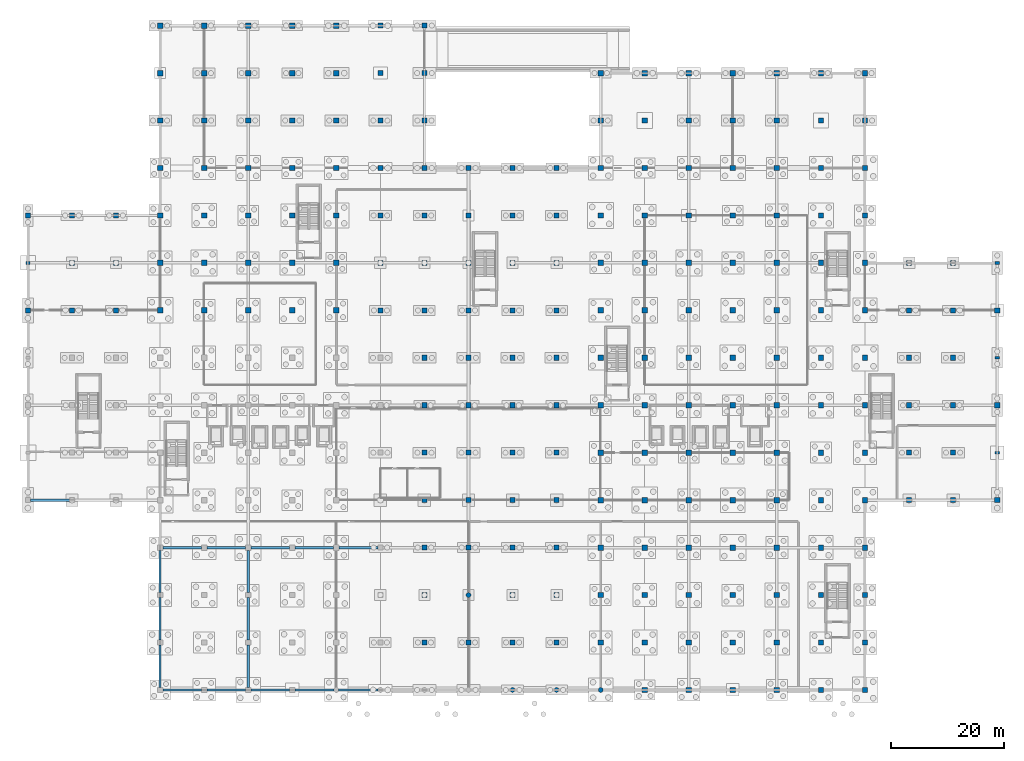
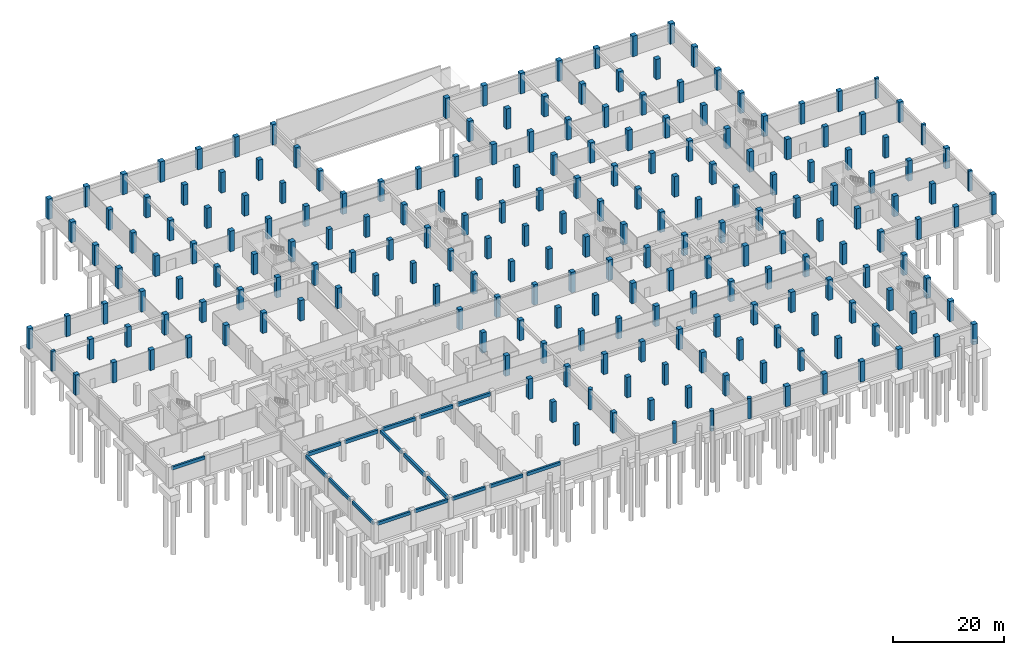
# One storey, part 9 of 30: 216 columns, 17 beams.
"""IFC4 building model written with IfcOpenShell, lengths in metres."""

import ifcopenshell
import ifcopenshell.guid

model = None  # the IFC model being written
_history = None  # IfcOwnerHistory: only IFC2X3 demands one
_inside = {}  # id of a spatial element -> (the spatial element, [elements in it])
_under = {}  # id of a project, library or spatial element -> (it, [spatial elements below it])
_declared = {}  # id of a project -> (the project, [libraries it declares])
_typed = {}  # id of a type object -> (the type object, [elements of that type])
_made_of = {}  # id of a material, layer set ... -> (it, [elements and type objects made of it])


def new_model(schema):
    """Start an empty IFC model of exactly this schema.

    Asked for "IFC4X3", IfcOpenShell would pick the latest addendum, in which some entities
    have other attributes; the version numbers below select the first issue.
    IFC2X3 requires an IfcOwnerHistory on every rooted entity: one is made here for all.
    """
    global model, _history
    if schema == "IFC4X3":
        model = ifcopenshell.file(schema_version=(4, 3, 0, 0))
    else:
        model = ifcopenshell.file(schema=schema)
    _inside.clear()
    _under.clear()
    _declared.clear()
    _typed.clear()
    _made_of.clear()
    _history = None
    if model.schema == "IFC2X3":
        org = make("IfcOrganization", Name="unknown")
        user = make(
            "IfcPersonAndOrganization",
            ThePerson=make("IfcPerson", FamilyName="unknown"),
            TheOrganization=org,
        )
        app = make(
            "IfcApplication",
            ApplicationDeveloper=org,
            Version="unknown",
            ApplicationFullName="unknown",
            ApplicationIdentifier="unknown",
        )
        _history = make(
            "IfcOwnerHistory",
            OwningUser=user,
            OwningApplication=app,
            ChangeAction="ADDED",
            CreationDate=0,
        )
    return model


def make(cls, **values):
    """One entity of the class cls with the attributes given. An attribute that is None is left unset."""
    return model.create_entity(
        cls, **{name: value for name, value in values.items() if value is not None}
    )


def rooted(cls, **values):
    """An entity with a GlobalId (a new one), such as an element, a storey or a relation."""
    return make(cls, GlobalId=ifcopenshell.guid.new(), OwnerHistory=_history, **values)


def si_unit(unit_type, name, prefix=None):
    """IfcSIUnit, for example si_unit("LENGTHUNIT", "METRE", prefix="MILLI")."""
    return make("IfcSIUnit", UnitType=unit_type, Prefix=prefix, Name=name)


def assignment(units):
    """IfcUnitAssignment: the units of a project."""
    return None if units is None else make("IfcUnitAssignment", Units=units)


def point(xyz):
    """IfcCartesianPoint."""
    return None if xyz is None else make("IfcCartesianPoint", Coordinates=xyz)


def direction(xyz):
    """IfcDirection."""
    return None if xyz is None else make("IfcDirection", DirectionRatios=xyz)


def frame(location, z_axis=None, x_axis=None):
    """IfcAxis2Placement3D, a coordinate frame: its origin and axes. An axis left out is left unset."""
    return make(
        "IfcAxis2Placement3D",
        Location=point(location),
        Axis=direction(z_axis),
        RefDirection=direction(x_axis),
    )


def frame_2d(location, x_axis=None):
    """IfcAxis2Placement2D, a coordinate frame in the plane: its origin and x axis."""
    return make(
        "IfcAxis2Placement2D", Location=point(location), RefDirection=direction(x_axis)
    )


def origin():
    """The frame at (0, 0, 0) with its axes left unset."""
    return frame((0.0, 0.0, 0.0))


def origin_2d():
    """The frame at (0, 0) in the plane with its x axis left unset."""
    return frame_2d((0.0, 0.0))


def place(relative_to, where):
    """IfcLocalPlacement: puts the frame where relative to a parent placement (None: the world)."""
    return make(
        "IfcLocalPlacement", PlacementRelTo=relative_to, RelativePlacement=where
    )


def context(
    kind, dimensions, precision=None, world=None, true_north=None, identifier=None
):
    """IfcGeometricRepresentationContext, for example the 3D "Model" context."""
    return make(
        "IfcGeometricRepresentationContext",
        ContextIdentifier=identifier,
        ContextType=kind,
        CoordinateSpaceDimension=dimensions,
        Precision=precision,
        WorldCoordinateSystem=world,
        TrueNorth=true_north,
    )


def subcontext(parent, identifier, kind, view, scale=None):
    """IfcGeometricRepresentationSubContext, for example "Body" below "Model"."""
    return make(
        "IfcGeometricRepresentationSubContext",
        ContextIdentifier=identifier,
        ContextType=kind,
        ParentContext=parent,
        TargetScale=scale,
        TargetView=view,
    )


def project(units=None, contexts=None):
    """IfcProject with its units and contexts."""
    return rooted(
        "IfcProject",
        Name="project",
        RepresentationContexts=contexts,
        UnitsInContext=assignment(units),
    )


def spatial(cls, under=None, at=None, **own):
    """A site, building, storey or space (cls), placed at a placement, below another one or the project."""
    s = rooted(cls, ObjectPlacement=at, **own)
    if under is not None:
        _under.setdefault(under.id(), (under, []))[1].append(s)
    return s


def profile(cls, at=None, kind="AREA", **sizes):
    """A parametric profile (cls). Its sizes go by their IFC names, for example OverallWidth=200.0."""
    return make(cls, ProfileType=kind, Position=at, **sizes)


def rectangle(**sizes):
    """IfcRectangleProfileDef."""
    return profile("IfcRectangleProfileDef", **sizes)


def circle(**sizes):
    """IfcCircleProfileDef."""
    return profile("IfcCircleProfileDef", **sizes)


def extrude(swept, where, along, depth):
    """IfcExtrudedAreaSolid: the profile swept, set in the frame where, extruded along a direction by depth."""
    return make(
        "IfcExtrudedAreaSolid",
        SweptArea=swept,
        Position=where,
        ExtrudedDirection=direction(along),
        Depth=depth,
    )


def shape(context_of_items, identifier, shape_type, items):
    """IfcShapeRepresentation: the items that make up one representation, for example the "Body"."""
    return make(
        "IfcShapeRepresentation",
        ContextOfItems=context_of_items,
        RepresentationIdentifier=identifier,
        RepresentationType=shape_type,
        Items=items,
    )


def material(Name=None, Category=None):
    """IfcMaterial."""
    return make("IfcMaterial", Name=Name, Category=Category)


def material_profile(
    of_material, cross_section, Name=None, Category=None, Priority=None
):
    """IfcMaterialProfile: a cross section and its material."""
    return make(
        "IfcMaterialProfile",
        Name=Name,
        Material=of_material,
        Profile=cross_section,
        Priority=Priority,
        Category=Category,
    )


def profile_set(profiles, Name=None, composite=None):
    """IfcMaterialProfileSet."""
    return make(
        "IfcMaterialProfileSet",
        Name=Name,
        MaterialProfiles=profiles,
        CompositeProfile=composite,
    )


def made_of(thing, what):
    """Note that an element or type object is made of a material, layer set ...; save() writes the relation."""
    if what is not None:
        _made_of.setdefault(what.id(), (what, []))[1].append(thing)
    return thing


def type_object(cls, material=None, **own):
    """A type object (cls), such as IfcWallType, which elements share."""
    return made_of(rooted(cls, **own), material)


def element(
    cls,
    number,
    at=None,
    inside=None,
    cuts=None,
    type_object=None,
    material=None,
    context=None,
    identifier="Body",
    shape_type=None,
    held_by="IfcProductDefinitionShape",
    body=None,
    shapes=None,
    **own,
):
    """One element of the class cls, such as IfcWall. Its Tag is "e" and its number.

    at: its placement. inside: the storey or other place that contains it. cuts: it is an
    opening in that element (IfcRelVoidsElement). A single representation is given by context,
    identifier, shape_type and body (its items); several are given by shapes. held_by: the class
    of the entity that holds the representations. save() writes the other relations.
    """
    e = rooted(cls, Tag="e%d" % number, ObjectPlacement=at, **own)
    if body is not None:
        shapes = [shape(context, identifier, shape_type, body)]
    if shapes is not None:
        e.Representation = make(held_by, Representations=shapes)
    if inside is not None:
        _inside.setdefault(inside.id(), (inside, []))[1].append(e)
    if cuts is not None:
        rooted(
            "IfcRelVoidsElement", RelatingBuildingElement=cuts, RelatedOpeningElement=e
        )
    if type_object is not None:
        _typed.setdefault(type_object.id(), (type_object, []))[1].append(e)
    return made_of(e, material)


def aggregate(whole, parts):
    """IfcRelAggregates: a whole, such as a stair, and the parts it consists of."""
    return rooted("IfcRelAggregates", RelatingObject=whole, RelatedObjects=parts)


def save(model, path):
    """Write the relations noted so far, then the file.

    IfcRelAggregates (storeys below a building ...), IfcRelContainedInSpatialStructure (elements
    in a storey), IfcRelDefinesByType, IfcRelAssociatesMaterial and IfcRelDeclares: one each for
    every whole, place, type object, material and project.
    """
    for whole, parts in _under.values():
        aggregate(whole, parts)
    for where, things in _inside.values():
        rooted(
            "IfcRelContainedInSpatialStructure",
            RelatedElements=things,
            RelatingStructure=where,
        )
    for kind, things in _typed.values():
        rooted("IfcRelDefinesByType", RelatedObjects=things, RelatingType=kind)
    for what, things in _made_of.values():
        rooted("IfcRelAssociatesMaterial", RelatedObjects=things, RelatingMaterial=what)
    for by, libraries in _declared.values():
        rooted("IfcRelDeclares", RelatingContext=by, RelatedDefinitions=libraries)
    model.write(path)


model = new_model("IFC4")

# Units and contexts
model_context = context("Model", 3, precision=1e-05, world=origin(), true_north=direction((0.0, 1.0)))
body_context = subcontext(model_context, "Body", "Model", "MODEL_VIEW")
ifc_project = project(units=[si_unit("LENGTHUNIT", "METRE"), si_unit("AREAUNIT", "SQUARE_METRE"), si_unit("VOLUMEUNIT", "CUBIC_METRE"), si_unit("PLANEANGLEUNIT", "RADIAN"), si_unit("MASSUNIT", "GRAM", prefix="KILO"), si_unit("THERMODYNAMICTEMPERATUREUNIT", "KELVIN"), si_unit("POWERUNIT", "WATT")], contexts=[model_context])

# Site, building, storey
site_placement = place(None, origin())
site = spatial("IfcSite", under=ifc_project, at=site_placement, CompositionType="ELEMENT")
building_placement = place(site_placement, origin())
building = spatial("IfcBuilding", under=site, at=building_placement, Name="Srebrne Nadtorze General Hospital", CompositionType="ELEMENT")
storey_placement = place(building_placement, frame((0.0, 0.0, -4.5)))
storey = spatial("IfcBuildingStorey", under=building, at=storey_placement, Name="B1", CompositionType="ELEMENT", Elevation=-4.5)

# Columns
ifc_material_1 = material(Name="Concrete C40/50", Category="concrete")
ifc_material_profile_1 = material_profile(ifc_material_1, rectangle(XDim=0.5, YDim=0.75, at=origin_2d()), Name="RC-PIL-500x750")
ifc_profile_set_1 = profile_set([ifc_material_profile_1], Name="Concrete C40/50")
column_type_1 = type_object("IfcColumnType", Name="Pilaster column 500x750", PredefinedType="PILASTER", material=ifc_profile_set_1)
for number, where, z_axis, x_axis, name in (
    (1, (0.0, 75.60009765625, 0.0), (0.0, 0.0, 1.0), (0.0, 1.0, 0.0), "Column CL-B1-1-K"),
    (2, (171.60009765625, 42.0, 0.0), (0.0, 0.0, 1.0), (0.0, 1.0, 0.0), "Column CL-B1-23-F"),
    (3, (171.60009765625, 58.800048828125, 0.0), (0.0, 0.0, 1.0), (0.0, 1.0, 0.0), "Column CL-B1-23-H"),
    (4, (171.60009765625, 75.60009765625, 0.0), (0.0, 0.0, 1.0), (0.0, 1.0, 0.0), "Column CL-B1-23-K"),
):
    element("IfcColumn", number, at=place(storey_placement, frame(where, z_axis=z_axis, x_axis=x_axis)), inside=storey, type_object=column_type_1, Name=name, PredefinedType="PILASTER", context=body_context, shape_type="SweptSolid", body=[
        extrude(rectangle(XDim=0.5, YDim=0.75, at=origin_2d()), origin(), (0.0, 0.0, 1.0), 4.5),
    ])
ifc_material_2 = material(Name="Concrete C40/50", Category="concrete")
ifc_material_profile_2 = material_profile(ifc_material_2, rectangle(XDim=0.89990234375, YDim=0.89990234375, at=origin_2d()), Name="RC-COL-900x900")
ifc_profile_set_2 = profile_set([ifc_material_profile_2], Name="Concrete C40/50")
column_type_2 = type_object("IfcColumnType", Name="Reinforced concrete column 900x900", PredefinedType="COLUMN", material=ifc_profile_set_2)
for number, where, z_axis, x_axis, name in (
    (5, (0.0, 67.199951171875, 0.0), (0.0, 0.0, 1.0), (1.0, 0.0, 0.0), "Column CL-B1-1-J"),
    (6, (0.0, 84.0, 0.0), (0.0, 0.0, 1.0), (1.0, 0.0, 0.0), "Column CL-B1-1-L"),
    (7, (7.800048828125, 67.199951171875, 0.0), (0.0, 0.0, 1.0), (1.0, 0.0, 0.0), "Column CL-B1-2-J"),
    (8, (7.800048828125, 75.60009765625, 0.0), (0.0, 0.0, 1.0), (1.0, 0.0, 0.0), "Column CL-B1-2-K"),
    (9, (7.800048828125, 84.0, 0.0), (0.0, 0.0, 1.0), (1.0, 0.0, 0.0), "Column CL-B1-2-L"),
    (10, (15.60009765625, 67.199951171875, 0.0), (0.0, 0.0, 1.0), (1.0, 0.0, 0.0), "Column CL-B1-3-J"),
    (11, (15.60009765625, 75.60009765625, 0.0), (0.0, 0.0, 1.0), (1.0, 0.0, 0.0), "Column CL-B1-3-K"),
    (12, (15.60009765625, 84.0, 0.0), (0.0, 0.0, 1.0), (1.0, 0.0, 0.0), "Column CL-B1-3-L"),
    (13, (62.39990234375, 67.199951171875, 0.0), (0.0, 0.0, 1.0), (1.0, 0.0, 0.0), "Column CL-B1-9-J"),
    (14, (62.39990234375, 75.60009765625, 0.0), (0.0, 0.0, 1.0), (1.0, 0.0, 0.0), "Column CL-B1-9-K"),
    (15, (62.39990234375, 84.0, 0.0), (0.0, 0.0, 1.0), (1.0, 0.0, 0.0), "Column CL-B1-9-L"),
    (16, (62.39990234375, 92.39990234375, 0.0), (0.0, 0.0, 1.0), (1.0, 0.0, 0.0), "Column CL-B1-9-M"),
    (17, (62.39990234375, 100.800048828125, 0.0), (0.0, 0.0, 1.0), (1.0, 0.0, 0.0), "Column CL-B1-9-N"),
    (18, (62.39990234375, 109.199951171875, 0.0), (0.0, 0.0, 1.0), (1.0, 0.0, 0.0), "Column CL-B1-9-P"),
    (19, (62.39990234375, 117.60009765625, 0.0), (0.0, 0.0, 1.0), (1.0, 0.0, 0.0), "Column CL-B1-9-Q"),
    (20, (70.199951171875, 8.39990234375, 0.0), (0.0, 0.0, 1.0), (1.0, 0.0, 0.0), "Column CL-B1-10-B"),
    (21, (70.199951171875, 16.800048828125, 0.0), (0.0, 0.0, 1.0), (1.0, 0.0, 0.0), "Column CL-B1-10-C"),
    (22, (70.199951171875, 25.199951171875, 0.0), (0.0, 0.0, 1.0), (1.0, 0.0, 0.0), "Column CL-B1-10-D"),
    (23, (70.199951171875, 33.60009765625, 0.0), (0.0, 0.0, 1.0), (1.0, 0.0, 0.0), "Column CL-B1-10-E"),
    (24, (70.199951171875, 42.0, 0.0), (0.0, 0.0, 1.0), (1.0, 0.0, 0.0), "Column CL-B1-10-F"),
    (25, (70.199951171875, 50.39990234375, 0.0), (0.0, 0.0, 1.0), (1.0, 0.0, 0.0), "Column CL-B1-10-G"),
    (26, (70.199951171875, 58.800048828125, 0.0), (0.0, 0.0, 1.0), (1.0, 0.0, 0.0), "Column CL-B1-10-H"),
    (27, (70.199951171875, 67.199951171875, 0.0), (0.0, 0.0, 1.0), (1.0, 0.0, 0.0), "Column CL-B1-10-J"),
    (28, (70.199951171875, 75.60009765625, 0.0), (0.0, 0.0, 1.0), (1.0, 0.0, 0.0), "Column CL-B1-10-K"),
    (29, (70.199951171875, 84.0, 0.0), (0.0, 0.0, 1.0), (1.0, 0.0, 0.0), "Column CL-B1-10-L"),
    (30, (70.199951171875, 92.39990234375, 0.0), (0.0, 0.0, 1.0), (1.0, 0.0, 0.0), "Column CL-B1-10-M"),
    (31, (70.199951171875, 100.800048828125, 0.0), (0.0, 0.0, 1.0), (1.0, 0.0, 0.0), "Column CL-B1-10-N"),
    (32, (70.199951171875, 109.199951171875, 0.0), (0.0, 0.0, 1.0), (1.0, 0.0, 0.0), "Column CL-B1-10-P"),
    (33, (70.199951171875, 117.60009765625, 0.0), (0.0, 0.0, 1.0), (1.0, 0.0, 0.0), "Column CL-B1-10-Q"),
    (34, (78.0, 8.39990234375, 0.0), (0.0, 0.0, 1.0), (1.0, 0.0, 0.0), "Column CL-B1-11-B"),
    (35, (78.0, 25.199951171875, 0.0), (0.0, 0.0, 1.0), (1.0, 0.0, 0.0), "Column CL-B1-11-D"),
    (36, (78.0, 33.60009765625, 0.0), (0.0, 0.0, 1.0), (1.0, 0.0, 0.0), "Column CL-B1-11-E"),
    (37, (78.0, 42.0, 0.0), (0.0, 0.0, 1.0), (1.0, 0.0, 0.0), "Column CL-B1-11-F"),
    (38, (78.0, 50.39990234375, 0.0), (0.0, 0.0, 1.0), (1.0, 0.0, 0.0), "Column CL-B1-11-G"),
    (39, (78.0, 58.800048828125, 0.0), (0.0, 0.0, 1.0), (1.0, 0.0, 0.0), "Column CL-B1-11-H"),
    (40, (78.0, 67.199951171875, 0.0), (0.0, 0.0, 1.0), (1.0, 0.0, 0.0), "Column CL-B1-11-J"),
    (41, (78.0, 75.60009765625, 0.0), (0.0, 0.0, 1.0), (1.0, 0.0, 0.0), "Column CL-B1-11-K"),
    (42, (78.0, 84.0, 0.0), (0.0, 0.0, 1.0), (1.0, 0.0, 0.0), "Column CL-B1-11-L"),
    (43, (78.0, 92.39990234375, 0.0), (0.0, 0.0, 1.0), (1.0, 0.0, 0.0), "Column CL-B1-11-M"),
    (44, (85.800048828125, 8.39990234375, 0.0), (0.0, 0.0, 1.0), (1.0, 0.0, 0.0), "Column CL-B1-12-B"),
    (45, (85.800048828125, 16.800048828125, 0.0), (0.0, 0.0, 1.0), (1.0, 0.0, 0.0), "Column CL-B1-12-C"),
    (46, (85.800048828125, 25.199951171875, 0.0), (0.0, 0.0, 1.0), (1.0, 0.0, 0.0), "Column CL-B1-12-D"),
    (47, (85.800048828125, 33.60009765625, 0.0), (0.0, 0.0, 1.0), (1.0, 0.0, 0.0), "Column CL-B1-12-E"),
    (48, (85.800048828125, 42.0, 0.0), (0.0, 0.0, 1.0), (1.0, 0.0, 0.0), "Column CL-B1-12-F"),
    (49, (85.800048828125, 50.39990234375, 0.0), (0.0, 0.0, 1.0), (1.0, 0.0, 0.0), "Column CL-B1-12-G"),
    (50, (85.800048828125, 58.800048828125, 0.0), (0.0, 0.0, 1.0), (1.0, 0.0, 0.0), "Column CL-B1-12-H"),
    (51, (85.800048828125, 67.199951171875, 0.0), (0.0, 0.0, 1.0), (1.0, 0.0, 0.0), "Column CL-B1-12-J"),
    (52, (85.800048828125, 75.60009765625, 0.0), (0.0, 0.0, 1.0), (1.0, 0.0, 0.0), "Column CL-B1-12-K"),
    (53, (85.800048828125, 84.0, 0.0), (0.0, 0.0, 1.0), (1.0, 0.0, 0.0), "Column CL-B1-12-L"),
    (54, (85.800048828125, 92.39990234375, 0.0), (0.0, 0.0, 1.0), (1.0, 0.0, 0.0), "Column CL-B1-12-M"),
    (55, (93.60009765625, 8.39990234375, 0.0), (0.0, 0.0, 1.0), (1.0, 0.0, 0.0), "Column CL-B1-13-B"),
    (56, (93.60009765625, 16.800048828125, 0.0), (0.0, 0.0, 1.0), (1.0, 0.0, 0.0), "Column CL-B1-13-C"),
    (57, (93.60009765625, 25.199951171875, 0.0), (0.0, 0.0, 1.0), (1.0, 0.0, 0.0), "Column CL-B1-13-D"),
    (58, (93.60009765625, 33.60009765625, 0.0), (0.0, 0.0, 1.0), (1.0, 0.0, 0.0), "Column CL-B1-13-E"),
    (59, (93.60009765625, 42.0, 0.0), (0.0, 0.0, 1.0), (1.0, 0.0, 0.0), "Column CL-B1-13-F"),
    (60, (93.60009765625, 50.39990234375, 0.0), (0.0, 0.0, 1.0), (1.0, 0.0, 0.0), "Column CL-B1-13-G"),
    (61, (93.60009765625, 58.800048828125, 0.0), (0.0, 0.0, 1.0), (1.0, 0.0, 0.0), "Column CL-B1-13-H"),
    (62, (93.60009765625, 67.199951171875, 0.0), (0.0, 0.0, 1.0), (1.0, 0.0, 0.0), "Column CL-B1-13-J"),
    (63, (93.60009765625, 75.60009765625, 0.0), (0.0, 0.0, 1.0), (1.0, 0.0, 0.0), "Column CL-B1-13-K"),
    (64, (93.60009765625, 84.0, 0.0), (0.0, 0.0, 1.0), (1.0, 0.0, 0.0), "Column CL-B1-13-L"),
    (65, (93.60009765625, 92.39990234375, 0.0), (0.0, 0.0, 1.0), (1.0, 0.0, 0.0), "Column CL-B1-13-M"),
    (66, (156.0, 33.60009765625, 0.0), (0.0, 0.0, 1.0), (1.0, 0.0, 0.0), "Column CL-B1-21-E"),
    (67, (156.0, 42.0, 0.0), (0.0, 0.0, 1.0), (1.0, 0.0, 0.0), "Column CL-B1-21-F"),
    (68, (156.0, 50.39990234375, 0.0), (0.0, 0.0, 1.0), (1.0, 0.0, 0.0), "Column CL-B1-21-G"),
    (69, (156.0, 58.800048828125, 0.0), (0.0, 0.0, 1.0), (1.0, 0.0, 0.0), "Column CL-B1-21-H"),
    (70, (156.0, 67.199951171875, 0.0), (0.0, 0.0, 1.0), (1.0, 0.0, 0.0), "Column CL-B1-21-J"),
    (71, (156.0, 75.60009765625, 0.0), (0.0, 0.0, 1.0), (1.0, 0.0, 0.0), "Column CL-B1-21-K"),
    (72, (163.800048828125, 33.60009765625, 0.0), (0.0, 0.0, 1.0), (1.0, 0.0, 0.0), "Column CL-B1-22-E"),
    (73, (163.800048828125, 42.0, 0.0), (0.0, 0.0, 1.0), (1.0, 0.0, 0.0), "Column CL-B1-22-F"),
    (74, (163.800048828125, 50.39990234375, 0.0), (0.0, 0.0, 1.0), (1.0, 0.0, 0.0), "Column CL-B1-22-G"),
    (75, (163.800048828125, 58.800048828125, 0.0), (0.0, 0.0, 1.0), (1.0, 0.0, 0.0), "Column CL-B1-22-H"),
    (76, (163.800048828125, 67.199951171875, 0.0), (0.0, 0.0, 1.0), (1.0, 0.0, 0.0), "Column CL-B1-22-J"),
    (77, (163.800048828125, 75.60009765625, 0.0), (0.0, 0.0, 1.0), (1.0, 0.0, 0.0), "Column CL-B1-22-K"),
    (78, (171.60009765625, 33.60009765625, 0.0), (0.0, 0.0, 1.0), (1.0, 0.0, 0.0), "Column CL-B1-23-E"),
    (79, (171.60009765625, 50.39990234375, 0.0), (0.0, 0.0, 1.0), (1.0, 0.0, 0.0), "Column CL-B1-23-G"),
    (80, (171.60009765625, 67.199951171875, 0.0), (0.0, 0.0, 1.0), (1.0, 0.0, 0.0), "Column CL-B1-23-J"),
):
    element("IfcColumn", number, at=place(storey_placement, frame(where, z_axis=z_axis, x_axis=x_axis)), inside=storey, type_object=column_type_2, Name=name, PredefinedType="COLUMN", context=body_context, shape_type="SweptSolid", body=[
        extrude(rectangle(XDim=0.89990234375, YDim=0.89990234375, at=origin_2d()), origin(), (0.0, 0.0, 1.0), 4.5),
    ])
ifc_material_3 = material(Name="Concrete C40/50", Category="concrete")
ifc_material_profile_3 = material_profile(ifc_material_3, rectangle(XDim=0.949951171875, YDim=0.949951171875, at=origin_2d()), Name="RC-COL-950x950")
ifc_profile_set_3 = profile_set([ifc_material_profile_3], Name="Concrete C40/50")
column_type_3 = type_object("IfcColumnType", Name="Reinforced concrete column 950x950", PredefinedType="COLUMN", material=ifc_profile_set_3)
for number, where, z_axis, x_axis, name in (
    (81, (23.39990234375, 67.199951171875, 0.0), (0.0, 0.0, 1.0), (1.0, 0.0, 0.0), "Column CL-B1-4-J"),
    (82, (23.39990234375, 75.60009765625, 0.0), (0.0, 0.0, 1.0), (1.0, 0.0, 0.0), "Column CL-B1-4-K"),
    (83, (23.39990234375, 84.0, 0.0), (0.0, 0.0, 1.0), (1.0, 0.0, 0.0), "Column CL-B1-4-L"),
    (84, (23.39990234375, 92.39990234375, 0.0), (0.0, 0.0, 1.0), (1.0, 0.0, 0.0), "Column CL-B1-4-M"),
    (85, (23.39990234375, 100.800048828125, 0.0), (0.0, 0.0, 1.0), (1.0, 0.0, 0.0), "Column CL-B1-4-N"),
    (86, (23.39990234375, 109.199951171875, 0.0), (0.0, 0.0, 1.0), (1.0, 0.0, 0.0), "Column CL-B1-4-P"),
    (87, (23.39990234375, 117.60009765625, 0.0), (0.0, 0.0, 1.0), (1.0, 0.0, 0.0), "Column CL-B1-4-Q"),
    (88, (31.199951171875, 67.199951171875, 0.0), (0.0, 0.0, 1.0), (1.0, 0.0, 0.0), "Column CL-B1-5-J"),
    (89, (31.199951171875, 75.60009765625, 0.0), (0.0, 0.0, 1.0), (1.0, 0.0, 0.0), "Column CL-B1-5-K"),
    (90, (31.199951171875, 84.0, 0.0), (0.0, 0.0, 1.0), (1.0, 0.0, 0.0), "Column CL-B1-5-L"),
    (91, (31.199951171875, 92.39990234375, 0.0), (0.0, 0.0, 1.0), (1.0, 0.0, 0.0), "Column CL-B1-5-M"),
    (92, (31.199951171875, 100.800048828125, 0.0), (0.0, 0.0, 1.0), (1.0, 0.0, 0.0), "Column CL-B1-5-N"),
    (93, (31.199951171875, 109.199951171875, 0.0), (0.0, 0.0, 1.0), (1.0, 0.0, 0.0), "Column CL-B1-5-P"),
    (94, (31.199951171875, 117.60009765625, 0.0), (0.0, 0.0, 1.0), (1.0, 0.0, 0.0), "Column CL-B1-5-Q"),
    (95, (39.0, 67.199951171875, 0.0), (0.0, 0.0, 1.0), (1.0, 0.0, 0.0), "Column CL-B1-6-J"),
    (96, (39.0, 75.60009765625, 0.0), (0.0, 0.0, 1.0), (1.0, 0.0, 0.0), "Column CL-B1-6-K"),
    (97, (39.0, 84.0, 0.0), (0.0, 0.0, 1.0), (1.0, 0.0, 0.0), "Column CL-B1-6-L"),
    (98, (39.0, 92.39990234375, 0.0), (0.0, 0.0, 1.0), (1.0, 0.0, 0.0), "Column CL-B1-6-M"),
    (99, (39.0, 100.800048828125, 0.0), (0.0, 0.0, 1.0), (1.0, 0.0, 0.0), "Column CL-B1-6-N"),
    (100, (39.0, 109.199951171875, 0.0), (0.0, 0.0, 1.0), (1.0, 0.0, 0.0), "Column CL-B1-6-P"),
    (101, (39.0, 117.60009765625, 0.0), (0.0, 0.0, 1.0), (1.0, 0.0, 0.0), "Column CL-B1-6-Q"),
    (102, (46.800048828125, 67.199951171875, 0.0), (0.0, 0.0, 1.0), (1.0, 0.0, 0.0), "Column CL-B1-7-J"),
    (103, (46.800048828125, 75.60009765625, 0.0), (0.0, 0.0, 1.0), (1.0, 0.0, 0.0), "Column CL-B1-7-K"),
    (104, (46.800048828125, 84.0, 0.0), (0.0, 0.0, 1.0), (1.0, 0.0, 0.0), "Column CL-B1-7-L"),
    (105, (46.800048828125, 92.39990234375, 0.0), (0.0, 0.0, 1.0), (1.0, 0.0, 0.0), "Column CL-B1-7-M"),
    (106, (46.800048828125, 100.800048828125, 0.0), (0.0, 0.0, 1.0), (1.0, 0.0, 0.0), "Column CL-B1-7-N"),
    (107, (46.800048828125, 109.199951171875, 0.0), (0.0, 0.0, 1.0), (1.0, 0.0, 0.0), "Column CL-B1-7-P"),
    (108, (46.800048828125, 117.60009765625, 0.0), (0.0, 0.0, 1.0), (1.0, 0.0, 0.0), "Column CL-B1-7-Q"),
    (109, (54.60009765625, 67.199951171875, 0.0), (0.0, 0.0, 1.0), (1.0, 0.0, 0.0), "Column CL-B1-8-J"),
    (110, (54.60009765625, 75.60009765625, 0.0), (0.0, 0.0, 1.0), (1.0, 0.0, 0.0), "Column CL-B1-8-K"),
    (111, (54.60009765625, 84.0, 0.0), (0.0, 0.0, 1.0), (1.0, 0.0, 0.0), "Column CL-B1-8-L"),
    (112, (54.60009765625, 92.39990234375, 0.0), (0.0, 0.0, 1.0), (1.0, 0.0, 0.0), "Column CL-B1-8-M"),
    (113, (54.60009765625, 100.800048828125, 0.0), (0.0, 0.0, 1.0), (1.0, 0.0, 0.0), "Column CL-B1-8-N"),
    (114, (54.60009765625, 109.199951171875, 0.0), (0.0, 0.0, 1.0), (1.0, 0.0, 0.0), "Column CL-B1-8-P"),
    (115, (54.60009765625, 117.60009765625, 0.0), (0.0, 0.0, 1.0), (1.0, 0.0, 0.0), "Column CL-B1-8-Q"),
    (116, (101.39990234375, 8.39990234375, 0.0), (0.0, 0.0, 1.0), (1.0, 0.0, 0.0), "Column CL-B1-14-B"),
    (117, (101.39990234375, 16.800048828125, 0.0), (0.0, 0.0, 1.0), (1.0, 0.0, 0.0), "Column CL-B1-14-C"),
    (118, (101.39990234375, 25.199951171875, 0.0), (0.0, 0.0, 1.0), (1.0, 0.0, 0.0), "Column CL-B1-14-D"),
    (119, (101.39990234375, 33.60009765625, 0.0), (0.0, 0.0, 1.0), (1.0, 0.0, 0.0), "Column CL-B1-14-E"),
    (120, (101.39990234375, 42.0, 0.0), (0.0, 0.0, 1.0), (1.0, 0.0, 0.0), "Column CL-B1-14-F"),
    (121, (101.39990234375, 50.39990234375, 0.0), (0.0, 0.0, 1.0), (1.0, 0.0, 0.0), "Column CL-B1-14-G"),
    (122, (101.39990234375, 58.800048828125, 0.0), (0.0, 0.0, 1.0), (1.0, 0.0, 0.0), "Column CL-B1-14-H"),
    (123, (101.39990234375, 67.199951171875, 0.0), (0.0, 0.0, 1.0), (1.0, 0.0, 0.0), "Column CL-B1-14-J"),
    (124, (101.39990234375, 75.60009765625, 0.0), (0.0, 0.0, 1.0), (1.0, 0.0, 0.0), "Column CL-B1-14-K"),
    (125, (101.39990234375, 84.0, 0.0), (0.0, 0.0, 1.0), (1.0, 0.0, 0.0), "Column CL-B1-14-L"),
    (126, (101.39990234375, 92.39990234375, 0.0), (0.0, 0.0, 1.0), (1.0, 0.0, 0.0), "Column CL-B1-14-M"),
    (127, (101.39990234375, 100.800048828125, 0.0), (0.0, 0.0, 1.0), (1.0, 0.0, 0.0), "Column CL-B1-14-N"),
    (128, (101.39990234375, 109.199951171875, 0.0), (0.0, 0.0, 1.0), (1.0, 0.0, 0.0), "Column CL-B1-14-P"),
    (129, (109.199951171875, 0.0, 0.0), (0.0, 0.0, 1.0), (1.0, 0.0, 0.0), "Column CL-B1-15-A"),
    (130, (109.199951171875, 8.39990234375, 0.0), (0.0, 0.0, 1.0), (1.0, 0.0, 0.0), "Column CL-B1-15-B"),
    (131, (109.199951171875, 16.800048828125, 0.0), (0.0, 0.0, 1.0), (1.0, 0.0, 0.0), "Column CL-B1-15-C"),
    (132, (109.199951171875, 25.199951171875, 0.0), (0.0, 0.0, 1.0), (1.0, 0.0, 0.0), "Column CL-B1-15-D"),
    (133, (109.199951171875, 33.60009765625, 0.0), (0.0, 0.0, 1.0), (1.0, 0.0, 0.0), "Column CL-B1-15-E"),
    (134, (109.199951171875, 42.0, 0.0), (0.0, 0.0, 1.0), (1.0, 0.0, 0.0), "Column CL-B1-15-F"),
    (135, (109.199951171875, 50.39990234375, 0.0), (0.0, 0.0, 1.0), (1.0, 0.0, 0.0), "Column CL-B1-15-G"),
    (136, (109.199951171875, 58.800048828125, 0.0), (0.0, 0.0, 1.0), (1.0, 0.0, 0.0), "Column CL-B1-15-H"),
    (137, (109.199951171875, 67.199951171875, 0.0), (0.0, 0.0, 1.0), (1.0, 0.0, 0.0), "Column CL-B1-15-J"),
    (138, (109.199951171875, 75.60009765625, 0.0), (0.0, 0.0, 1.0), (1.0, 0.0, 0.0), "Column CL-B1-15-K"),
    (139, (109.199951171875, 84.0, 0.0), (0.0, 0.0, 1.0), (1.0, 0.0, 0.0), "Column CL-B1-15-L"),
    (140, (109.199951171875, 92.39990234375, 0.0), (0.0, 0.0, 1.0), (1.0, 0.0, 0.0), "Column CL-B1-15-M"),
    (141, (109.199951171875, 100.800048828125, 0.0), (0.0, 0.0, 1.0), (1.0, 0.0, 0.0), "Column CL-B1-15-N"),
    (142, (109.199951171875, 109.199951171875, 0.0), (0.0, 0.0, 1.0), (1.0, 0.0, 0.0), "Column CL-B1-15-P"),
    (143, (117.0, 0.0, 0.0), (0.0, 0.0, 1.0), (1.0, 0.0, 0.0), "Column CL-B1-16-A"),
    (144, (117.0, 8.39990234375, 0.0), (0.0, 0.0, 1.0), (1.0, 0.0, 0.0), "Column CL-B1-16-B"),
    (145, (117.0, 16.800048828125, 0.0), (0.0, 0.0, 1.0), (1.0, 0.0, 0.0), "Column CL-B1-16-C"),
    (146, (117.0, 25.199951171875, 0.0), (0.0, 0.0, 1.0), (1.0, 0.0, 0.0), "Column CL-B1-16-D"),
    (147, (117.0, 33.60009765625, 0.0), (0.0, 0.0, 1.0), (1.0, 0.0, 0.0), "Column CL-B1-16-E"),
    (148, (117.0, 42.0, 0.0), (0.0, 0.0, 1.0), (1.0, 0.0, 0.0), "Column CL-B1-16-F"),
    (149, (117.0, 50.39990234375, 0.0), (0.0, 0.0, 1.0), (1.0, 0.0, 0.0), "Column CL-B1-16-G"),
    (150, (117.0, 58.800048828125, 0.0), (0.0, 0.0, 1.0), (1.0, 0.0, 0.0), "Column CL-B1-16-H"),
    (151, (117.0, 67.199951171875, 0.0), (0.0, 0.0, 1.0), (1.0, 0.0, 0.0), "Column CL-B1-16-J"),
    (152, (117.0, 75.60009765625, 0.0), (0.0, 0.0, 1.0), (1.0, 0.0, 0.0), "Column CL-B1-16-K"),
    (153, (117.0, 84.0, 0.0), (0.0, 0.0, 1.0), (1.0, 0.0, 0.0), "Column CL-B1-16-L"),
    (154, (117.0, 92.39990234375, 0.0), (0.0, 0.0, 1.0), (1.0, 0.0, 0.0), "Column CL-B1-16-M"),
    (155, (117.0, 100.800048828125, 0.0), (0.0, 0.0, 1.0), (1.0, 0.0, 0.0), "Column CL-B1-16-N"),
    (156, (117.0, 109.199951171875, 0.0), (0.0, 0.0, 1.0), (1.0, 0.0, 0.0), "Column CL-B1-16-P"),
    (157, (124.800048828125, 0.0, 0.0), (0.0, 0.0, 1.0), (1.0, 0.0, 0.0), "Column CL-B1-17-A"),
    (158, (124.800048828125, 8.39990234375, 0.0), (0.0, 0.0, 1.0), (1.0, 0.0, 0.0), "Column CL-B1-17-B"),
    (159, (124.800048828125, 16.800048828125, 0.0), (0.0, 0.0, 1.0), (1.0, 0.0, 0.0), "Column CL-B1-17-C"),
    (160, (124.800048828125, 25.199951171875, 0.0), (0.0, 0.0, 1.0), (1.0, 0.0, 0.0), "Column CL-B1-17-D"),
    (161, (124.800048828125, 33.60009765625, 0.0), (0.0, 0.0, 1.0), (1.0, 0.0, 0.0), "Column CL-B1-17-E"),
    (162, (124.800048828125, 42.0, 0.0), (0.0, 0.0, 1.0), (1.0, 0.0, 0.0), "Column CL-B1-17-F"),
    (163, (124.800048828125, 50.39990234375, 0.0), (0.0, 0.0, 1.0), (1.0, 0.0, 0.0), "Column CL-B1-17-G"),
    (164, (124.800048828125, 58.800048828125, 0.0), (0.0, 0.0, 1.0), (1.0, 0.0, 0.0), "Column CL-B1-17-H"),
    (165, (124.800048828125, 67.199951171875, 0.0), (0.0, 0.0, 1.0), (1.0, 0.0, 0.0), "Column CL-B1-17-J"),
    (166, (124.800048828125, 75.60009765625, 0.0), (0.0, 0.0, 1.0), (1.0, 0.0, 0.0), "Column CL-B1-17-K"),
    (167, (124.800048828125, 84.0, 0.0), (0.0, 0.0, 1.0), (1.0, 0.0, 0.0), "Column CL-B1-17-L"),
    (168, (124.800048828125, 92.39990234375, 0.0), (0.0, 0.0, 1.0), (1.0, 0.0, 0.0), "Column CL-B1-17-M"),
    (169, (124.800048828125, 100.800048828125, 0.0), (0.0, 0.0, 1.0), (1.0, 0.0, 0.0), "Column CL-B1-17-N"),
    (170, (124.800048828125, 109.199951171875, 0.0), (0.0, 0.0, 1.0), (1.0, 0.0, 0.0), "Column CL-B1-17-P"),
    (171, (132.60009765625, 0.0, 0.0), (0.0, 0.0, 1.0), (1.0, 0.0, 0.0), "Column CL-B1-18-A"),
    (172, (132.60009765625, 8.39990234375, 0.0), (0.0, 0.0, 1.0), (1.0, 0.0, 0.0), "Column CL-B1-18-B"),
    (173, (132.60009765625, 16.800048828125, 0.0), (0.0, 0.0, 1.0), (1.0, 0.0, 0.0), "Column CL-B1-18-C"),
    (174, (132.60009765625, 25.199951171875, 0.0), (0.0, 0.0, 1.0), (1.0, 0.0, 0.0), "Column CL-B1-18-D"),
    (175, (132.60009765625, 33.60009765625, 0.0), (0.0, 0.0, 1.0), (1.0, 0.0, 0.0), "Column CL-B1-18-E"),
    (176, (132.60009765625, 42.0, 0.0), (0.0, 0.0, 1.0), (1.0, 0.0, 0.0), "Column CL-B1-18-F"),
    (177, (132.60009765625, 50.39990234375, 0.0), (0.0, 0.0, 1.0), (1.0, 0.0, 0.0), "Column CL-B1-18-G"),
    (178, (132.60009765625, 58.800048828125, 0.0), (0.0, 0.0, 1.0), (1.0, 0.0, 0.0), "Column CL-B1-18-H"),
    (179, (132.60009765625, 67.199951171875, 0.0), (0.0, 0.0, 1.0), (1.0, 0.0, 0.0), "Column CL-B1-18-J"),
    (180, (132.60009765625, 75.60009765625, 0.0), (0.0, 0.0, 1.0), (1.0, 0.0, 0.0), "Column CL-B1-18-K"),
    (181, (132.60009765625, 84.0, 0.0), (0.0, 0.0, 1.0), (1.0, 0.0, 0.0), "Column CL-B1-18-L"),
    (182, (132.60009765625, 92.39990234375, 0.0), (0.0, 0.0, 1.0), (1.0, 0.0, 0.0), "Column CL-B1-18-M"),
    (183, (132.60009765625, 100.800048828125, 0.0), (0.0, 0.0, 1.0), (1.0, 0.0, 0.0), "Column CL-B1-18-N"),
    (184, (132.60009765625, 109.199951171875, 0.0), (0.0, 0.0, 1.0), (1.0, 0.0, 0.0), "Column CL-B1-18-P"),
    (185, (140.39990234375, 0.0, 0.0), (0.0, 0.0, 1.0), (1.0, 0.0, 0.0), "Column CL-B1-19-A"),
    (186, (140.39990234375, 8.39990234375, 0.0), (0.0, 0.0, 1.0), (1.0, 0.0, 0.0), "Column CL-B1-19-B"),
    (187, (140.39990234375, 16.800048828125, 0.0), (0.0, 0.0, 1.0), (1.0, 0.0, 0.0), "Column CL-B1-19-C"),
    (188, (140.39990234375, 25.199951171875, 0.0), (0.0, 0.0, 1.0), (1.0, 0.0, 0.0), "Column CL-B1-19-D"),
    (189, (140.39990234375, 33.60009765625, 0.0), (0.0, 0.0, 1.0), (1.0, 0.0, 0.0), "Column CL-B1-19-E"),
    (190, (140.39990234375, 42.0, 0.0), (0.0, 0.0, 1.0), (1.0, 0.0, 0.0), "Column CL-B1-19-F"),
    (191, (140.39990234375, 50.39990234375, 0.0), (0.0, 0.0, 1.0), (1.0, 0.0, 0.0), "Column CL-B1-19-G"),
    (192, (140.39990234375, 58.800048828125, 0.0), (0.0, 0.0, 1.0), (1.0, 0.0, 0.0), "Column CL-B1-19-H"),
    (193, (140.39990234375, 67.199951171875, 0.0), (0.0, 0.0, 1.0), (1.0, 0.0, 0.0), "Column CL-B1-19-J"),
    (194, (140.39990234375, 75.60009765625, 0.0), (0.0, 0.0, 1.0), (1.0, 0.0, 0.0), "Column CL-B1-19-K"),
    (195, (140.39990234375, 84.0, 0.0), (0.0, 0.0, 1.0), (1.0, 0.0, 0.0), "Column CL-B1-19-L"),
    (196, (140.39990234375, 92.39990234375, 0.0), (0.0, 0.0, 1.0), (1.0, 0.0, 0.0), "Column CL-B1-19-M"),
    (197, (140.39990234375, 100.800048828125, 0.0), (0.0, 0.0, 1.0), (1.0, 0.0, 0.0), "Column CL-B1-19-N"),
    (198, (140.39990234375, 109.199951171875, 0.0), (0.0, 0.0, 1.0), (1.0, 0.0, 0.0), "Column CL-B1-19-P"),
    (199, (148.199951171875, 0.0, 0.0), (0.0, 0.0, 1.0), (1.0, 0.0, 0.0), "Column CL-B1-20-A"),
    (200, (148.199951171875, 8.39990234375, 0.0), (0.0, 0.0, 1.0), (1.0, 0.0, 0.0), "Column CL-B1-20-B"),
    (201, (148.199951171875, 16.800048828125, 0.0), (0.0, 0.0, 1.0), (1.0, 0.0, 0.0), "Column CL-B1-20-C"),
    (202, (148.199951171875, 25.199951171875, 0.0), (0.0, 0.0, 1.0), (1.0, 0.0, 0.0), "Column CL-B1-20-D"),
    (203, (148.199951171875, 33.60009765625, 0.0), (0.0, 0.0, 1.0), (1.0, 0.0, 0.0), "Column CL-B1-20-E"),
    (204, (148.199951171875, 42.0, 0.0), (0.0, 0.0, 1.0), (1.0, 0.0, 0.0), "Column CL-B1-20-F"),
    (205, (148.199951171875, 50.39990234375, 0.0), (0.0, 0.0, 1.0), (1.0, 0.0, 0.0), "Column CL-B1-20-G"),
    (206, (148.199951171875, 58.800048828125, 0.0), (0.0, 0.0, 1.0), (1.0, 0.0, 0.0), "Column CL-B1-20-H"),
    (207, (148.199951171875, 67.199951171875, 0.0), (0.0, 0.0, 1.0), (1.0, 0.0, 0.0), "Column CL-B1-20-J"),
    (208, (148.199951171875, 75.60009765625, 0.0), (0.0, 0.0, 1.0), (1.0, 0.0, 0.0), "Column CL-B1-20-K"),
    (209, (148.199951171875, 84.0, 0.0), (0.0, 0.0, 1.0), (1.0, 0.0, 0.0), "Column CL-B1-20-L"),
    (210, (148.199951171875, 92.39990234375, 0.0), (0.0, 0.0, 1.0), (1.0, 0.0, 0.0), "Column CL-B1-20-M"),
    (211, (148.199951171875, 100.800048828125, 0.0), (0.0, 0.0, 1.0), (1.0, 0.0, 0.0), "Column CL-B1-20-N"),
    (212, (148.199951171875, 109.199951171875, 0.0), (0.0, 0.0, 1.0), (1.0, 0.0, 0.0), "Column CL-B1-20-P"),
):
    element("IfcColumn", number, at=place(storey_placement, frame(where, z_axis=z_axis, x_axis=x_axis)), inside=storey, type_object=column_type_3, Name=name, PredefinedType="COLUMN", context=body_context, shape_type="SweptSolid", body=[
        extrude(rectangle(XDim=0.949951171875, YDim=0.949951171875, at=origin_2d()), origin(), (0.0, 0.0, 1.0), 4.5),
    ])
ifc_material_4 = material(Name="Concrete C40/50", Category="concrete")
ifc_material_profile_4 = material_profile(ifc_material_4, circle(Radius=0.425048828125, at=origin_2d()), Name="RC-COL-D850")
ifc_profile_set_4 = profile_set([ifc_material_profile_4], Name="Concrete C40/50")
column_type_4 = type_object("IfcColumnType", Name="Reinforced concrete column D850", PredefinedType="COLUMN", material=ifc_profile_set_4)
for number, where, z_axis, x_axis, name in (
    (213, (78.0, 16.800048828125, 0.0), (0.0, 0.0, 1.0), (1.0, 0.0, 0.0), "Column CL-B1-11-C"),
    (214, (85.800048828125, 0.0, 0.0), (0.0, 0.0, 1.0), (1.0, 0.0, 0.0), "Column CL-B1-12-A"),
    (215, (93.60009765625, 0.0, 0.0), (0.0, 0.0, 1.0), (1.0, 0.0, 0.0), "Column CL-B1-13-A"),
    (216, (101.39990234375, 0.0, 0.0), (0.0, 0.0, 1.0), (1.0, 0.0, 0.0), "Column CL-B1-14-A"),
):
    element("IfcColumn", number, at=place(storey_placement, frame(where, z_axis=z_axis, x_axis=x_axis)), inside=storey, type_object=column_type_4, Name=name, PredefinedType="COLUMN", context=body_context, shape_type="SweptSolid", body=[
        extrude(circle(Radius=0.425048828125, at=origin_2d()), origin(), (0.0, 0.0, 1.0), 4.5),
    ])

# Beams
ifc_material_5 = material(Name="Concrete C40/50", Category="concrete")
ifc_material_profile_5 = material_profile(ifc_material_5, rectangle(XDim=0.39990234375, YDim=0.699951171875, at=origin_2d()), Name="RC-BM-400x700")
ifc_profile_set_5 = profile_set([ifc_material_profile_5], Name="Concrete C40/50")
beam_type_1 = type_object("IfcBeamType", Name="Edge beam RC 400x700", PredefinedType="BEAM", material=ifc_profile_set_5)
beam_1_placement = place(storey_placement, frame((23.875, 0.0, 3.800048828125), z_axis=(1.0, 0.0, 0.0), x_axis=(0.0, 1.0, 0.0)))
element("IfcBeam", 217, at=beam_1_placement, inside=storey, type_object=beam_type_1, Name="Beam BM-B1-X-0001", PredefinedType="BEAM", context=body_context, shape_type="SweptSolid", body=[
    extrude(rectangle(XDim=0.39990234375, YDim=0.699951171875, at=origin_2d()), origin(), (0.0, 0.0, 1.0), 6.85009765625),
])
for number, where, z_axis, x_axis, name in (
    (218, (31.675048828125, 0.0, 3.800048828125), (1.0, 0.0, 0.0), (0.0, 1.0, 0.0), "Beam BM-B1-X-0002"),
    (219, (39.47509765625, 0.0, 3.800048828125), (1.0, 0.0, 0.0), (0.0, 1.0, 0.0), "Beam BM-B1-X-0003"),
):
    element("IfcBeam", number, at=place(storey_placement, frame(where, z_axis=z_axis, x_axis=x_axis)), inside=storey, type_object=beam_type_1, Name=name, PredefinedType="BEAM", context=body_context, shape_type="SweptSolid", body=[
        extrude(rectangle(XDim=0.39990234375, YDim=0.699951171875, at=origin_2d()), origin(), (0.0, 0.0, 1.0), 6.849853515625),
    ])
beam_2_placement = place(storey_placement, frame((47.27490234375, 0.0, 3.800048828125), z_axis=(1.0, 0.0, 0.0), x_axis=(0.0, 1.0, 0.0)))
element("IfcBeam", 220, at=beam_2_placement, inside=storey, type_object=beam_type_1, Name="Beam BM-B1-X-0004", PredefinedType="BEAM", context=body_context, shape_type="SweptSolid", body=[
    extrude(rectangle(XDim=0.39990234375, YDim=0.699951171875, at=origin_2d()), origin(), (0.0, 0.0, 1.0), 6.900146484375),
])
beam_3_placement = place(storey_placement, frame((55.02490234375, 0.0, 3.800048828125), z_axis=(1.0, 0.0, 0.0), x_axis=(0.0, 1.0, 0.0)))
element("IfcBeam", 221, at=beam_3_placement, inside=storey, type_object=beam_type_1, Name="Beam BM-B1-X-0005", PredefinedType="BEAM", context=body_context, shape_type="SweptSolid", body=[
    extrude(rectangle(XDim=0.39990234375, YDim=0.699951171875, at=origin_2d()), origin(), (0.0, 0.0, 1.0), 6.9501953125),
])
beam_4_placement = place(storey_placement, frame((0.449951171875, 33.60009765625, 3.800048828125), z_axis=(1.0, 0.0, 0.0), x_axis=(0.0, 1.0, 0.0)))
element("IfcBeam", 222, at=beam_4_placement, inside=storey, type_object=beam_type_1, Name="Beam BM-B1-X-0033", PredefinedType="BEAM", context=body_context, shape_type="SweptSolid", body=[
    extrude(rectangle(XDim=0.39990234375, YDim=0.699951171875, at=origin_2d()), origin(), (0.0, 0.0, 1.0), 6.900146484375),
])
for number, where, z_axis, x_axis, name in (
    (223, (23.39990234375, 0.47509765625, 3.800048828125), (0.0, 1.0, 0.0), (-1.0, 0.0, 0.0), "Beam BM-B1-Y-0104"),
    (224, (23.39990234375, 8.875, 3.800048828125), (0.0, 1.0, 0.0), (-1.0, 0.0, 0.0), "Beam BM-B1-Y-0105"),
):
    element("IfcBeam", number, at=place(storey_placement, frame(where, z_axis=z_axis, x_axis=x_axis)), inside=storey, type_object=beam_type_1, Name=name, PredefinedType="BEAM", context=body_context, shape_type="SweptSolid", body=[
        extrude(rectangle(XDim=0.39990234375, YDim=0.699951171875, at=origin_2d()), origin(), (0.0, 0.0, 1.0), 7.449951171875),
    ])
beam_5_placement = place(storey_placement, frame((23.39990234375, 17.27490234375, 3.800048828125), z_axis=(0.0, 1.0, 0.0), x_axis=(-1.0, 0.0, 0.0)))
element("IfcBeam", 225, at=beam_5_placement, inside=storey, type_object=beam_type_1, Name="Beam BM-B1-Y-0106", PredefinedType="BEAM", context=body_context, shape_type="SweptSolid", body=[
    extrude(rectangle(XDim=0.39990234375, YDim=0.699951171875, at=origin_2d()), origin(), (0.0, 0.0, 1.0), 7.4501953125),
])
ifc_material_6 = material(Name="Concrete C40/50", Category="concrete")
ifc_material_profile_6 = material_profile(ifc_material_6, rectangle(XDim=0.449951171875, YDim=0.75, at=origin_2d()), Name="RC-BM-450x750")
ifc_profile_set_6 = profile_set([ifc_material_profile_6], Name="Concrete C40/50")
beam_type_2 = type_object("IfcBeamType", Name="Primary beam RC 450x750", PredefinedType="BEAM", material=ifc_profile_set_6)
beam_6_placement = place(storey_placement, frame((23.875, 25.199951171875, 3.77490234375), z_axis=(1.0, 0.0, 0.0), x_axis=(0.0, 1.0, 0.0)))
element("IfcBeam", 226, at=beam_6_placement, inside=storey, type_object=beam_type_2, Name="Beam BM-B1-X-0017", PredefinedType="BEAM", context=body_context, shape_type="SweptSolid", body=[
    extrude(rectangle(XDim=0.449951171875, YDim=0.75, at=origin_2d()), origin(), (0.0, 0.0, 1.0), 6.85009765625),
])
for number, where, z_axis, x_axis, name in (
    (227, (31.675048828125, 25.199951171875, 3.77490234375), (1.0, 0.0, 0.0), (0.0, 1.0, 0.0), "Beam BM-B1-X-0018"),
    (228, (39.47509765625, 25.199951171875, 3.77490234375), (1.0, 0.0, 0.0), (0.0, 1.0, 0.0), "Beam BM-B1-X-0019"),
):
    element("IfcBeam", number, at=place(storey_placement, frame(where, z_axis=z_axis, x_axis=x_axis)), inside=storey, type_object=beam_type_2, Name=name, PredefinedType="BEAM", context=body_context, shape_type="SweptSolid", body=[
        extrude(rectangle(XDim=0.449951171875, YDim=0.75, at=origin_2d()), origin(), (0.0, 0.0, 1.0), 6.849853515625),
    ])
beam_7_placement = place(storey_placement, frame((47.27490234375, 25.199951171875, 3.77490234375), z_axis=(1.0, 0.0, 0.0), x_axis=(0.0, 1.0, 0.0)))
element("IfcBeam", 229, at=beam_7_placement, inside=storey, type_object=beam_type_2, Name="Beam BM-B1-X-0020", PredefinedType="BEAM", context=body_context, shape_type="SweptSolid", body=[
    extrude(rectangle(XDim=0.449951171875, YDim=0.75, at=origin_2d()), origin(), (0.0, 0.0, 1.0), 6.85009765625),
])
beam_8_placement = place(storey_placement, frame((55.074951171875, 25.199951171875, 3.77490234375), z_axis=(1.0, 0.0, 0.0), x_axis=(0.0, 1.0, 0.0)))
element("IfcBeam", 230, at=beam_8_placement, inside=storey, type_object=beam_type_2, Name="Beam BM-B1-X-0021", PredefinedType="BEAM", context=body_context, shape_type="SweptSolid", body=[
    extrude(rectangle(XDim=0.449951171875, YDim=0.75, at=origin_2d()), origin(), (0.0, 0.0, 1.0), 6.875),
])
for number, where, z_axis, x_axis, name in (
    (231, (39.0, 0.47509765625, 3.77490234375), (0.0, 1.0, 0.0), (-1.0, 0.0, 0.0), "Beam BM-B1-Y-0112"),
    (232, (39.0, 8.875, 3.77490234375), (0.0, 1.0, 0.0), (-1.0, 0.0, 0.0), "Beam BM-B1-Y-0113"),
):
    element("IfcBeam", number, at=place(storey_placement, frame(where, z_axis=z_axis, x_axis=x_axis)), inside=storey, type_object=beam_type_2, Name=name, PredefinedType="BEAM", context=body_context, shape_type="SweptSolid", body=[
        extrude(rectangle(XDim=0.449951171875, YDim=0.75, at=origin_2d()), origin(), (0.0, 0.0, 1.0), 7.449951171875),
    ])
beam_9_placement = place(storey_placement, frame((39.0, 17.27490234375, 3.77490234375), z_axis=(0.0, 1.0, 0.0), x_axis=(-1.0, 0.0, 0.0)))
element("IfcBeam", 233, at=beam_9_placement, inside=storey, type_object=beam_type_2, Name="Beam BM-B1-Y-0114", PredefinedType="BEAM", context=body_context, shape_type="SweptSolid", body=[
    extrude(rectangle(XDim=0.449951171875, YDim=0.75, at=origin_2d()), origin(), (0.0, 0.0, 1.0), 7.4501953125),
])

save(model, "model.ifc")
